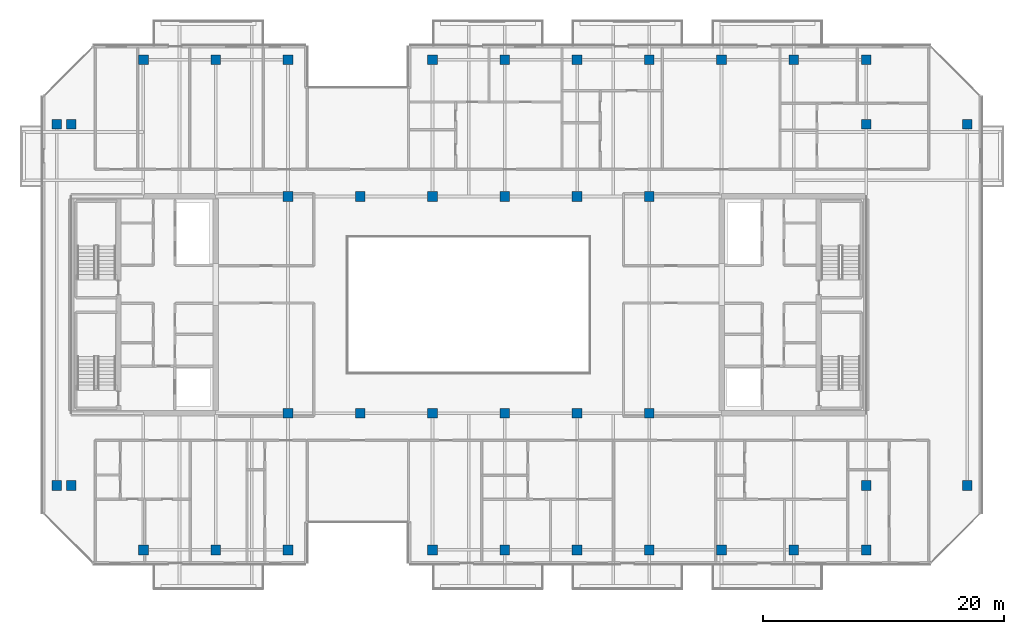
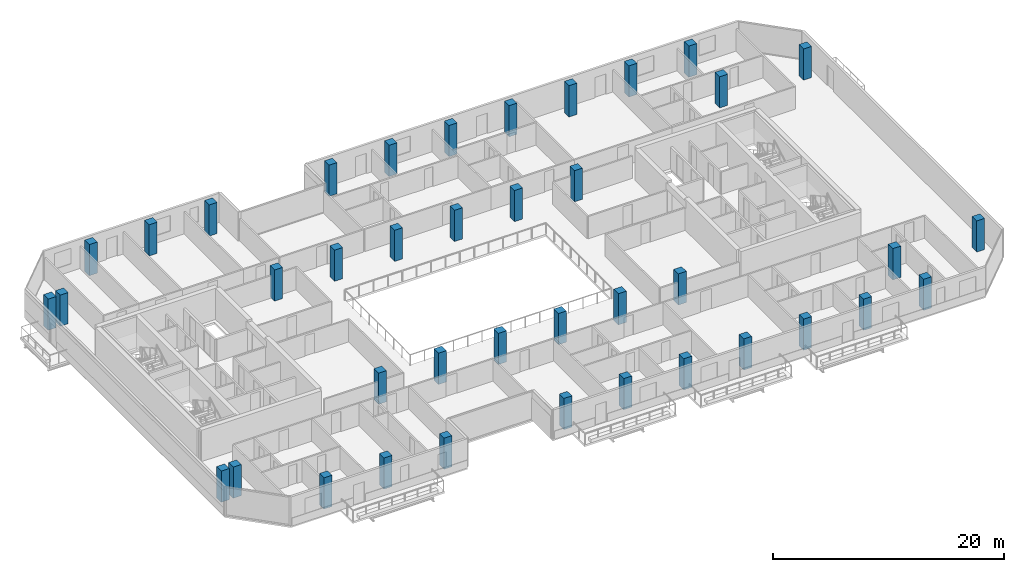
# One storey, part 1 of 29: 40 columns.
"""IFC4 building model written with IfcOpenShell, lengths in metres."""

from ifc_helpers import new_model, si_unit, direction, frame, origin, origin_2d, place, context, subcontext, project, spatial, rectangle, extrude, material, material_profile, profile_set, type_object, element, save


model = new_model("IFC4")

# Units and contexts
model_context = context("Model", 3, precision=1e-05, world=origin(), true_north=direction((0.0, 1.0)))
body_context = subcontext(model_context, "Body", "Model", "MODEL_VIEW")
ifc_project = project(units=[si_unit("LENGTHUNIT", "METRE"), si_unit("AREAUNIT", "SQUARE_METRE"), si_unit("VOLUMEUNIT", "CUBIC_METRE"), si_unit("PLANEANGLEUNIT", "RADIAN"), si_unit("MASSUNIT", "GRAM", prefix="KILO")], contexts=[model_context])

# Site, building, storey
site_placement = place(None, origin())
site = spatial("IfcSite", under=ifc_project, at=site_placement, CompositionType="ELEMENT")
building_placement = place(site_placement, origin())
building = spatial("IfcBuilding", under=site, at=building_placement, Name="Tanjung Sevakor Pilgrim Tower", CompositionType="ELEMENT")
storey_placement = place(building_placement, frame((0.0, 0.0, 181.830078125)))
storey = spatial("IfcBuildingStorey", under=building, at=storey_placement, Name="L50", CompositionType="ELEMENT", Elevation=181.830078125)

# Columns
ifc_material = material(Name="Concrete C60/75", Category="concrete")
ifc_material_profile = material_profile(ifc_material, rectangle(XDim=0.800048828125, YDim=0.800048828125, at=origin_2d()))
ifc_profile_set = profile_set([ifc_material_profile], Name="Concrete C60/75")
column_type = type_object("IfcColumnType", Name="COL-C-T800-RC_800x800", PredefinedType="COLUMN", material=ifc_profile_set)
for number, where, z_axis, x_axis, name in (
    (1, (42.0, 24.60009765625, 0.0), (0.0, 0.0, 1.0), (1.0, 0.0, 0.0), "L50 Column SPW-042-246"),
    (2, (42.0, 42.60009765625, 0.0), (0.0, 0.0, 1.0), (1.0, 0.0, 0.0), "L50 Column SPW-042-426"),
    (3, (48.0, 24.60009765625, 0.0), (0.0, 0.0, 1.0), (1.0, 0.0, 0.0), "L50 Column SPW-048-246"),
    (4, (48.0, 42.60009765625, 0.0), (0.0, 0.0, 1.0), (1.0, 0.0, 0.0), "L50 Column SPW-048-426"),
    (5, (54.0, 24.60009765625, 0.0), (0.0, 0.0, 1.0), (1.0, 0.0, 0.0), "L50 Column SPE-054-246"),
    (6, (54.0, 42.60009765625, 0.0), (0.0, 0.0, 1.0), (1.0, 0.0, 0.0), "L50 Column SPE-054-426"),
    (7, (60.0, 24.60009765625, 0.0), (0.0, 0.0, 1.0), (1.0, 0.0, 0.0), "L50 Column SPE-060-246"),
    (8, (60.0, 42.60009765625, 0.0), (0.0, 0.0, 1.0), (1.0, 0.0, 0.0), "L50 Column SPE-060-426"),
    (9, (66.0, 24.60009765625, 0.0), (0.0, 0.0, 1.0), (1.0, 0.0, 0.0), "L50 Column SPE-066-246"),
    (10, (66.0, 42.60009765625, 0.0), (0.0, 0.0, 1.0), (1.0, 0.0, 0.0), "L50 Column SPE-066-426"),
    (11, (72.0, 24.60009765625, 0.0), (0.0, 0.0, 1.0), (1.0, 0.0, 0.0), "L50 Column SPE-072-246"),
    (12, (72.0, 42.60009765625, 0.0), (0.0, 0.0, 1.0), (1.0, 0.0, 0.0), "L50 Column SPE-072-426"),
    (13, (22.800048828125, 18.60009765625, 0.0), (0.0, 0.0, 1.0), (1.0, 0.0, 0.0), "L50 Column TCE-0228-186"),
    (14, (22.800048828125, 48.60009765625, 0.0), (0.0, 0.0, 1.0), (1.0, 0.0, 0.0), "L50 Column TCE-0228-486"),
    (15, (24.0, 18.60009765625, 0.0), (0.0, 0.0, 1.0), (1.0, 0.0, 0.0), "L50 Column TCE-0240-186"),
    (16, (24.0, 48.60009765625, 0.0), (0.0, 0.0, 1.0), (1.0, 0.0, 0.0), "L50 Column TCE-0240-486"),
    (17, (90.0, 18.60009765625, 0.0), (0.0, 0.0, 1.0), (1.0, 0.0, 0.0), "L50 Column TCE-0900-186"),
    (18, (90.0, 48.60009765625, 0.0), (0.0, 0.0, 1.0), (1.0, 0.0, 0.0), "L50 Column TCE-0900-486"),
    (19, (98.39990234375, 18.60009765625, 0.0), (0.0, 0.0, 1.0), (1.0, 0.0, 0.0), "L50 Column TCE-0984-186"),
    (20, (98.39990234375, 48.60009765625, 0.0), (0.0, 0.0, 1.0), (1.0, 0.0, 0.0), "L50 Column TCE-0984-486"),
    (21, (30.0, 13.25, 0.0), (0.0, 0.0, 1.0), (1.0, 0.0, 0.0), "L50 Column TC4-030-132"),
    (22, (30.0, 53.949951171875, 0.0), (0.0, 0.0, 1.0), (1.0, 0.0, 0.0), "L50 Column TC4-030-540"),
    (23, (36.0, 13.25, 0.0), (0.0, 0.0, 1.0), (1.0, 0.0, 0.0), "L50 Column TC4-036-132"),
    (24, (36.0, 53.949951171875, 0.0), (0.0, 0.0, 1.0), (1.0, 0.0, 0.0), "L50 Column TC4-036-540"),
    (25, (42.0, 13.25, 0.0), (0.0, 0.0, 1.0), (1.0, 0.0, 0.0), "L50 Column TC4-042-132"),
    (26, (42.0, 53.949951171875, 0.0), (0.0, 0.0, 1.0), (1.0, 0.0, 0.0), "L50 Column TC4-042-540"),
    (27, (54.0, 13.25, 0.0), (0.0, 0.0, 1.0), (1.0, 0.0, 0.0), "L50 Column TC4-054-132"),
    (28, (54.0, 53.949951171875, 0.0), (0.0, 0.0, 1.0), (1.0, 0.0, 0.0), "L50 Column TC4-054-540"),
    (29, (60.0, 13.25, 0.0), (0.0, 0.0, 1.0), (1.0, 0.0, 0.0), "L50 Column TC4-060-132"),
    (30, (60.0, 53.949951171875, 0.0), (0.0, 0.0, 1.0), (1.0, 0.0, 0.0), "L50 Column TC4-060-540"),
    (31, (66.0, 13.25, 0.0), (0.0, 0.0, 1.0), (1.0, 0.0, 0.0), "L50 Column TC4-066-132"),
    (32, (66.0, 53.949951171875, 0.0), (0.0, 0.0, 1.0), (1.0, 0.0, 0.0), "L50 Column TC4-066-540"),
    (33, (72.0, 13.25, 0.0), (0.0, 0.0, 1.0), (1.0, 0.0, 0.0), "L50 Column TC4-072-132"),
    (34, (72.0, 53.949951171875, 0.0), (0.0, 0.0, 1.0), (1.0, 0.0, 0.0), "L50 Column TC4-072-540"),
    (35, (78.0, 13.25, 0.0), (0.0, 0.0, 1.0), (1.0, 0.0, 0.0), "L50 Column TC4-078-132"),
    (36, (78.0, 53.949951171875, 0.0), (0.0, 0.0, 1.0), (1.0, 0.0, 0.0), "L50 Column TC4-078-540"),
    (37, (84.0, 13.25, 0.0), (0.0, 0.0, 1.0), (1.0, 0.0, 0.0), "L50 Column TC4-084-132"),
    (38, (84.0, 53.949951171875, 0.0), (0.0, 0.0, 1.0), (1.0, 0.0, 0.0), "L50 Column TC4-084-540"),
    (39, (90.0, 13.25, 0.0), (0.0, 0.0, 1.0), (1.0, 0.0, 0.0), "L50 Column TC4-090-132"),
    (40, (90.0, 53.949951171875, 0.0), (0.0, 0.0, 1.0), (1.0, 0.0, 0.0), "L50 Column TC4-090-540"),
):
    element("IfcColumn", number, at=place(storey_placement, frame(where, z_axis=z_axis, x_axis=x_axis)), inside=storey, type_object=column_type, Name=name, PredefinedType="COLUMN", context=body_context, shape_type="SweptSolid", body=[
        extrude(rectangle(XDim=0.800048828125, YDim=0.800048828125, at=origin_2d()), origin(), (0.0, 0.0, 1.0), 3.2998046875),
    ])

save(model, "model.ifc")
